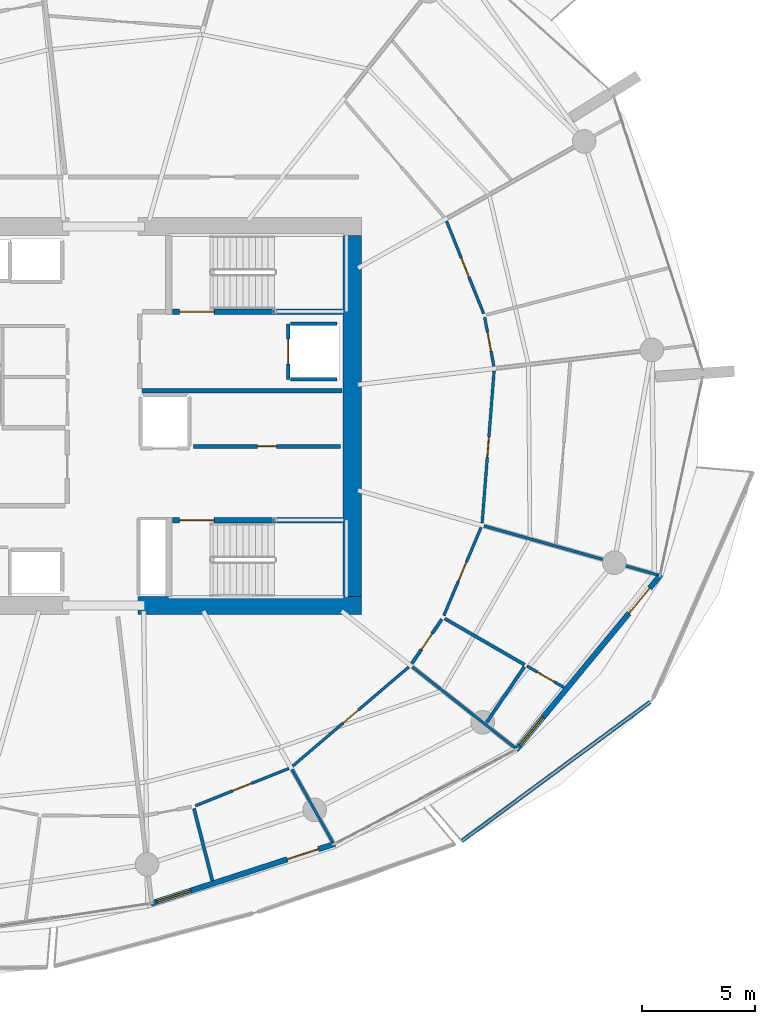
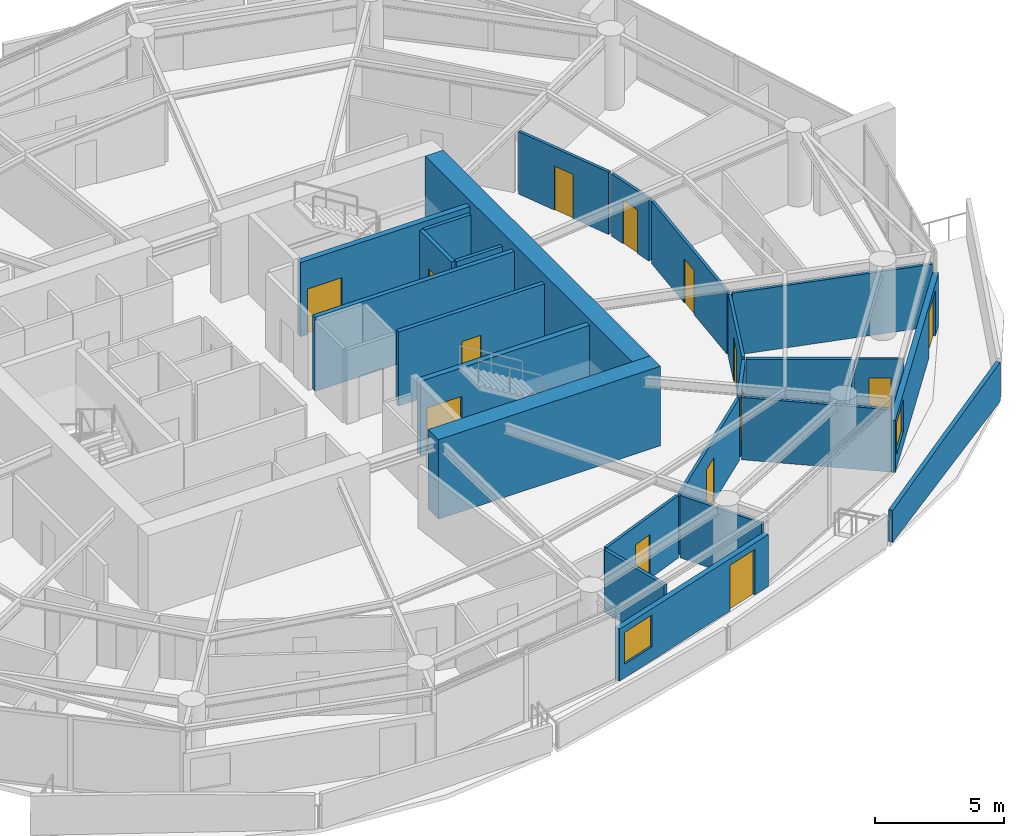
# One storey, part 13 of 20: 26 walls, 14 doors, 2 windows, 16 openings.
"""IFC4 building model written with IfcOpenShell, lengths in metres."""

import ifcopenshell
import ifcopenshell.guid

model = None  # the IFC model being written
_history = None  # IfcOwnerHistory: only IFC2X3 demands one
_inside = {}  # id of a spatial element -> (the spatial element, [elements in it])
_under = {}  # id of a project, library or spatial element -> (it, [spatial elements below it])
_declared = {}  # id of a project -> (the project, [libraries it declares])
_typed = {}  # id of a type object -> (the type object, [elements of that type])
_made_of = {}  # id of a material, layer set ... -> (it, [elements and type objects made of it])


def new_model(schema):
    """Start an empty IFC model of exactly this schema.

    Asked for "IFC4X3", IfcOpenShell would pick the latest addendum, in which some entities
    have other attributes; the version numbers below select the first issue.
    IFC2X3 requires an IfcOwnerHistory on every rooted entity: one is made here for all.
    """
    global model, _history
    if schema == "IFC4X3":
        model = ifcopenshell.file(schema_version=(4, 3, 0, 0))
    else:
        model = ifcopenshell.file(schema=schema)
    _inside.clear()
    _under.clear()
    _declared.clear()
    _typed.clear()
    _made_of.clear()
    _history = None
    if model.schema == "IFC2X3":
        org = make("IfcOrganization", Name="unknown")
        user = make(
            "IfcPersonAndOrganization",
            ThePerson=make("IfcPerson", FamilyName="unknown"),
            TheOrganization=org,
        )
        app = make(
            "IfcApplication",
            ApplicationDeveloper=org,
            Version="unknown",
            ApplicationFullName="unknown",
            ApplicationIdentifier="unknown",
        )
        _history = make(
            "IfcOwnerHistory",
            OwningUser=user,
            OwningApplication=app,
            ChangeAction="ADDED",
            CreationDate=0,
        )
    return model


def make(cls, **values):
    """One entity of the class cls with the attributes given. An attribute that is None is left unset."""
    return model.create_entity(
        cls, **{name: value for name, value in values.items() if value is not None}
    )


def rooted(cls, **values):
    """An entity with a GlobalId (a new one), such as an element, a storey or a relation."""
    return make(cls, GlobalId=ifcopenshell.guid.new(), OwnerHistory=_history, **values)


def si_unit(unit_type, name, prefix=None):
    """IfcSIUnit, for example si_unit("LENGTHUNIT", "METRE", prefix="MILLI")."""
    return make("IfcSIUnit", UnitType=unit_type, Prefix=prefix, Name=name)


def assignment(units):
    """IfcUnitAssignment: the units of a project."""
    return None if units is None else make("IfcUnitAssignment", Units=units)


def point(xyz):
    """IfcCartesianPoint."""
    return None if xyz is None else make("IfcCartesianPoint", Coordinates=xyz)


def direction(xyz):
    """IfcDirection."""
    return None if xyz is None else make("IfcDirection", DirectionRatios=xyz)


def frame(location, z_axis=None, x_axis=None):
    """IfcAxis2Placement3D, a coordinate frame: its origin and axes. An axis left out is left unset."""
    return make(
        "IfcAxis2Placement3D",
        Location=point(location),
        Axis=direction(z_axis),
        RefDirection=direction(x_axis),
    )


def frame_2d(location, x_axis=None):
    """IfcAxis2Placement2D, a coordinate frame in the plane: its origin and x axis."""
    return make(
        "IfcAxis2Placement2D", Location=point(location), RefDirection=direction(x_axis)
    )


def origin():
    """The frame at (0, 0, 0) with its axes left unset."""
    return frame((0.0, 0.0, 0.0))


def place(relative_to, where):
    """IfcLocalPlacement: puts the frame where relative to a parent placement (None: the world)."""
    return make(
        "IfcLocalPlacement", PlacementRelTo=relative_to, RelativePlacement=where
    )


def context(
    kind, dimensions, precision=None, world=None, true_north=None, identifier=None
):
    """IfcGeometricRepresentationContext, for example the 3D "Model" context."""
    return make(
        "IfcGeometricRepresentationContext",
        ContextIdentifier=identifier,
        ContextType=kind,
        CoordinateSpaceDimension=dimensions,
        Precision=precision,
        WorldCoordinateSystem=world,
        TrueNorth=true_north,
    )


def subcontext(parent, identifier, kind, view, scale=None):
    """IfcGeometricRepresentationSubContext, for example "Body" below "Model"."""
    return make(
        "IfcGeometricRepresentationSubContext",
        ContextIdentifier=identifier,
        ContextType=kind,
        ParentContext=parent,
        TargetScale=scale,
        TargetView=view,
    )


def project(units=None, contexts=None):
    """IfcProject with its units and contexts."""
    return rooted(
        "IfcProject",
        Name="project",
        RepresentationContexts=contexts,
        UnitsInContext=assignment(units),
    )


def spatial(cls, under=None, at=None, **own):
    """A site, building, storey or space (cls), placed at a placement, below another one or the project."""
    s = rooted(cls, ObjectPlacement=at, **own)
    if under is not None:
        _under.setdefault(under.id(), (under, []))[1].append(s)
    return s


def polyline(points):
    """IfcPolyline through the points."""
    return make("IfcPolyline", Points=[point(p) for p in points])


def profile(cls, at=None, kind="AREA", **sizes):
    """A parametric profile (cls). Its sizes go by their IFC names, for example OverallWidth=200.0."""
    return make(cls, ProfileType=kind, Position=at, **sizes)


def rectangle(**sizes):
    """IfcRectangleProfileDef."""
    return profile("IfcRectangleProfileDef", **sizes)


def outline(outer, holes=None, kind="AREA"):
    """IfcArbitraryClosedProfileDef: a profile drawn as a closed curve; with holes, ...WithVoids."""
    if holes is None:
        return make("IfcArbitraryClosedProfileDef", ProfileType=kind, OuterCurve=outer)
    return make(
        "IfcArbitraryProfileDefWithVoids",
        ProfileType=kind,
        OuterCurve=outer,
        InnerCurves=holes,
    )


def extrude(swept, where, along, depth):
    """IfcExtrudedAreaSolid: the profile swept, set in the frame where, extruded along a direction by depth."""
    return make(
        "IfcExtrudedAreaSolid",
        SweptArea=swept,
        Position=where,
        ExtrudedDirection=direction(along),
        Depth=depth,
    )


def shape(context_of_items, identifier, shape_type, items):
    """IfcShapeRepresentation: the items that make up one representation, for example the "Body"."""
    return make(
        "IfcShapeRepresentation",
        ContextOfItems=context_of_items,
        RepresentationIdentifier=identifier,
        RepresentationType=shape_type,
        Items=items,
    )


def material(Name=None, Category=None):
    """IfcMaterial."""
    return make("IfcMaterial", Name=Name, Category=Category)


def layer(
    of_material, thickness, ventilated=None, Name=None, Category=None, Priority=None
):
    """IfcMaterialLayer: one layer of a wall or slab, of a material (None: an air gap)."""
    return make(
        "IfcMaterialLayer",
        Material=of_material,
        LayerThickness=thickness,
        IsVentilated=ventilated,
        Name=Name,
        Category=Category,
        Priority=Priority,
    )


def layer_set(layers, Name=None):
    """IfcMaterialLayerSet."""
    return make("IfcMaterialLayerSet", MaterialLayers=layers, LayerSetName=Name)


def made_of(thing, what):
    """Note that an element or type object is made of a material, layer set ...; save() writes the relation."""
    if what is not None:
        _made_of.setdefault(what.id(), (what, []))[1].append(thing)
    return thing


def type_object(cls, material=None, **own):
    """A type object (cls), such as IfcWallType, which elements share."""
    return made_of(rooted(cls, **own), material)


def element(
    cls,
    number,
    at=None,
    inside=None,
    cuts=None,
    type_object=None,
    material=None,
    context=None,
    identifier="Body",
    shape_type=None,
    held_by="IfcProductDefinitionShape",
    body=None,
    shapes=None,
    **own,
):
    """One element of the class cls, such as IfcWall. Its Tag is "e" and its number.

    at: its placement. inside: the storey or other place that contains it. cuts: it is an
    opening in that element (IfcRelVoidsElement). A single representation is given by context,
    identifier, shape_type and body (its items); several are given by shapes. held_by: the class
    of the entity that holds the representations. save() writes the other relations.
    """
    e = rooted(cls, Tag="e%d" % number, ObjectPlacement=at, **own)
    if body is not None:
        shapes = [shape(context, identifier, shape_type, body)]
    if shapes is not None:
        e.Representation = make(held_by, Representations=shapes)
    if inside is not None:
        _inside.setdefault(inside.id(), (inside, []))[1].append(e)
    if cuts is not None:
        rooted(
            "IfcRelVoidsElement", RelatingBuildingElement=cuts, RelatedOpeningElement=e
        )
    if type_object is not None:
        _typed.setdefault(type_object.id(), (type_object, []))[1].append(e)
    return made_of(e, material)


def fill(opening, filler):
    """IfcRelFillsElement: the door or window that sits in an opening."""
    return rooted(
        "IfcRelFillsElement",
        RelatingOpeningElement=opening,
        RelatedBuildingElement=filler,
    )


def aggregate(whole, parts):
    """IfcRelAggregates: a whole, such as a stair, and the parts it consists of."""
    return rooted("IfcRelAggregates", RelatingObject=whole, RelatedObjects=parts)


def save(model, path):
    """Write the relations noted so far, then the file.

    IfcRelAggregates (storeys below a building ...), IfcRelContainedInSpatialStructure (elements
    in a storey), IfcRelDefinesByType, IfcRelAssociatesMaterial and IfcRelDeclares: one each for
    every whole, place, type object, material and project.
    """
    for whole, parts in _under.values():
        aggregate(whole, parts)
    for where, things in _inside.values():
        rooted(
            "IfcRelContainedInSpatialStructure",
            RelatedElements=things,
            RelatingStructure=where,
        )
    for kind, things in _typed.values():
        rooted("IfcRelDefinesByType", RelatedObjects=things, RelatingType=kind)
    for what, things in _made_of.values():
        rooted("IfcRelAssociatesMaterial", RelatedObjects=things, RelatingMaterial=what)
    for by, libraries in _declared.values():
        rooted("IfcRelDeclares", RelatingContext=by, RelatedDefinitions=libraries)
    model.write(path)


model = new_model("IFC4")

# Units and contexts
model_context = context("Model", 3, precision=1e-05, world=origin(), true_north=direction((0.0, 1.0)))
body_context = subcontext(model_context, "Body", "Model", "MODEL_VIEW")
ifc_project = project(units=[si_unit("LENGTHUNIT", "METRE"), si_unit("AREAUNIT", "SQUARE_METRE"), si_unit("VOLUMEUNIT", "CUBIC_METRE"), si_unit("PLANEANGLEUNIT", "RADIAN"), si_unit("MASSUNIT", "GRAM", prefix="KILO")], contexts=[model_context])

# Site, building, storey
site_placement = place(None, origin())
site = spatial("IfcSite", under=ifc_project, at=site_placement, CompositionType="ELEMENT")
building_placement = place(site_placement, origin())
building = spatial("IfcBuilding", under=site, at=building_placement, Name="Kazma Halo Residences", CompositionType="ELEMENT")
storey_placement = place(building_placement, frame((0.0, 0.0, 154.050048828125)))
storey = spatial("IfcBuildingStorey", under=building, at=storey_placement, Name="L38", CompositionType="ELEMENT", Elevation=154.050048828125)

# Walls
ifc_material_1 = material(Name="White Concrete C50/60 Balustrade", Category="concrete")
ifc_layer_1 = layer(ifc_material_1, 0.179931640625)
ifc_layer_set_1 = layer_set([ifc_layer_1], Name="White Concrete C50/60 Balustrade")
wall_type_1 = type_object("IfcWallType", Name="WL-BAL-WAVE-180", PredefinedType="PARAPET", material=ifc_layer_set_1)
wall_1_placement = place(storey_placement, frame((64.300048828125, 23.149658203125, 0.0), z_axis=(0.0, 0.0, 1.0), x_axis=(0.804716582715, 0.593659179584, 0.0)))
element("IfcWall", 1, at=wall_1_placement, inside=storey, type_object=wall_type_1, Name="L38 white wave balustrade wall SE.1", PredefinedType="PARAPET", context=body_context, shape_type="SweptSolid", body=[
    extrude(outline(polyline([(0.0, 0.0), (10.386474609375, 0.0), (10.386474609375, 1.83203125), (5.193115234375, 1.696044921875), (0.0, 1.4970703125), (0.0, 0.0)])), frame((0.0, 0.08984375, 0.0), z_axis=(0.0, -1.0, 0.0), x_axis=(1.0, 0.0, 0.0)), (0.0, 0.0, 1.0), 0.179931640625),
])
ifc_material_2 = material(Name="Concrete C80/95", Category="concrete")
ifc_layer_2 = layer(ifc_material_2, 0.800048828125)
ifc_layer_set_2 = layer_set([ifc_layer_2], Name="Concrete C80/95")
wall_type_2 = type_object("IfcWallType", Name="WL-CORE-800", PredefinedType="SHEAR", material=ifc_layer_set_2)
wall_2_placement = place(storey_placement, frame((49.949951171875, 33.60009765625, 0.0), z_axis=(0.0, 0.0, 1.0), x_axis=(1.0, 0.0, 0.0)))
element("IfcWall", 2, at=wall_2_placement, inside=storey, type_object=wall_type_2, Name="L38 central core shear wall SE", PredefinedType="SHEAR", context=body_context, shape_type="SweptSolid", body=[
    extrude(rectangle(XDim=9.900146484375, YDim=0.800048828125, at=frame_2d((4.9501953125, 0.0))), origin(), (0.0, 0.0, 1.0), 3.75),
])
wall_3_placement = place(storey_placement, frame((59.449951171875, 34.0, 0.0), z_axis=(0.0, 0.0, 1.0), x_axis=(0.0, 1.0, 0.0)))
element("IfcWall", 3, at=wall_3_placement, inside=storey, type_object=wall_type_2, Name="L38 central core shear wall E", PredefinedType="SHEAR", context=body_context, shape_type="SweptSolid", body=[
    extrude(rectangle(XDim=16.0, YDim=0.800048828125, at=frame_2d((8.0, 0.0))), origin(), (0.0, 0.0, 1.0), 3.75),
])

# Wall, openings, door, window
ifc_material_3 = material(Name="Insulated Pale-Metal Composite Wall")
ifc_layer_3 = layer(ifc_material_3, 0.239990234375)
ifc_layer_set_3 = layer_set([ifc_layer_3], Name="Insulated Pale-Metal Composite Wall")
wall_type_3 = type_object("IfcWallType", Name="WL-EXT-HOST-240", PredefinedType="SOLIDWALL", material=ifc_layer_set_3)
wall_4_placement = place(storey_placement, frame((50.510009765625, 20.375732421875, 0.0), z_axis=(0.0, 0.0, 1.0), x_axis=(0.951046390632, 0.309048156224, 0.0)))
wall_4 = element("IfcWall", 4, at=wall_4_placement, inside=storey, type_object=wall_type_3, Name="L38 exterior terrace-access wall B12", PredefinedType="SOLIDWALL", context=body_context, shape_type="SweptSolid", body=[
    extrude(rectangle(XDim=8.590087890625, YDim=0.239990234375, at=frame_2d((4.294921875, 0.0))), origin(), (0.0, 0.0, 1.0), 2.449951171875),
])
opening_1_placement = place(wall_4_placement, frame((6.370361328125, 0.0, 0.0)))
opening_1 = element("IfcOpeningElement", 5, at=opening_1_placement, cuts=wall_4, Name="Opening DTR-1600", PredefinedType="OPENING", context=body_context, shape_type="SweptSolid", body=[
    extrude(rectangle(XDim=1.449951171875, YDim=2.14990234375, at=frame_2d((0.72509765625, 1.074951171875))), frame((0.0, 0.1298828125, 0.0), z_axis=(0.0, -1.0, 0.0), x_axis=(1.0, 0.0, 0.0)), (0.0, 0.0, 1.0), 0.260009765625),
])
opening_2_placement = place(wall_4_placement, frame((0.280029296875, 0.0, 0.64990234375)))
opening_2 = element("IfcOpeningElement", 6, at=opening_2_placement, cuts=wall_4, Name="Opening W-1800", PredefinedType="OPENING", context=body_context, shape_type="SweptSolid", body=[
    extrude(rectangle(XDim=1.60009765625, YDim=1.5, at=frame_2d((0.800048828125, 0.75))), frame((0.0, 0.1298828125, 0.0), z_axis=(0.0, -1.0, 0.0), x_axis=(1.0, 0.0, 0.0)), (0.0, 0.0, 1.0), 0.260009765625),
])
ifc_material_4 = material(Name="Aluminium AW-6063 T6 Double-Glazed Terrace Door", Category="aluminium")
door_type_1 = type_object("IfcDoorType", Name="DR-EXT-TERR-1600", OperationType="NOTDEFINED", PredefinedType="DOOR", material=ifc_material_4)
door_1_placement = place(opening_1_placement, origin())
door_1 = element("IfcDoor", 7, at=door_1_placement, inside=storey, type_object=door_type_1, Name="L38 B12 balcony terrace door", OperationType="DOUBLE_DOOR_SLIDING", OverallHeight=2.14990234375, OverallWidth=1.449951171875, PredefinedType="DOOR", context=body_context, shape_type="SweptSolid", body=[
    extrude(rectangle(XDim=1.449951171875, YDim=2.14990234375, at=frame_2d((0.72509765625, 1.074951171875))), frame((0.0, 0.02490234375, 0.0), z_axis=(0.0, -1.0, 0.0), x_axis=(1.0, 0.0, 0.0)), (0.0, 0.0, 1.0), 0.050048828125),
])
fill(opening_1, door_1)
ifc_material_5 = material(Name="Clear Triple-Silver Low-E Glass in Aluminium AW-6063 T6 Frame", Category="aluminium")
window_type = type_object("IfcWindowType", Name="WIN-RES-1800", PartitioningType="DOUBLE_PANEL_VERTICAL", PredefinedType="WINDOW", material=ifc_material_5)
window_1_placement = place(opening_2_placement, origin())
window_1 = element("IfcWindow", 8, at=window_1_placement, inside=storey, type_object=window_type, Name="L38 B12 apartment window", OverallHeight=1.5, OverallWidth=1.60009765625, PartitioningType="SINGLE_PANEL", PredefinedType="WINDOW", context=body_context, shape_type="SweptSolid", body=[
    extrude(rectangle(XDim=1.60009765625, YDim=1.5, at=frame_2d((0.800048828125, 0.75))), frame((0.0, 0.030029296875, 0.0), z_axis=(0.0, -1.0, 0.0), x_axis=(1.0, 0.0, 0.0)), (0.0, 0.0, 1.0), 0.06005859375),
])
fill(opening_2, window_1)

wall_5_placement = place(storey_placement, frame((66.70947265625, 27.18701171875, 0.0), z_axis=(0.0, 0.0, 1.0), x_axis=(0.636771922292, 0.77105221547, 0.0)))
wall_5 = element("IfcWall", 9, at=wall_5_placement, inside=storey, type_object=wall_type_3, Name="L38 exterior terrace-access wall B14", PredefinedType="SOLIDWALL", context=body_context, shape_type="SweptSolid", body=[
    extrude(rectangle(XDim=10.08154296875, YDim=0.239990234375, at=frame_2d((5.040771484375, 0.0))), origin(), (0.0, 0.0, 1.0), 2.449951171875),
])
opening_3_placement = place(wall_5_placement, frame((7.861572265625, 0.0, 0.0)))
opening_3 = element("IfcOpeningElement", 10, at=opening_3_placement, cuts=wall_5, Name="Opening DTR-1600", PredefinedType="OPENING", context=body_context, shape_type="SweptSolid", body=[
    extrude(rectangle(XDim=1.449951171875, YDim=2.14990234375, at=frame_2d((0.72509765625, 1.074951171875))), frame((0.0, 0.1298828125, 0.0), z_axis=(0.0, -1.0, 0.0), x_axis=(1.0, 0.0, 0.0)), (0.0, 0.0, 1.0), 0.260009765625),
])
opening_4_placement = place(wall_5_placement, frame((0.280029296875, 0.0, 0.64990234375)))
opening_4 = element("IfcOpeningElement", 11, at=opening_4_placement, cuts=wall_5, Name="Opening W-1800", PredefinedType="OPENING", context=body_context, shape_type="SweptSolid", body=[
    extrude(rectangle(XDim=1.60009765625, YDim=1.5, at=frame_2d((0.800048828125, 0.75))), frame((0.0, 0.1298828125, 0.0), z_axis=(0.0, -1.0, 0.0), x_axis=(1.0, 0.0, 0.0)), (0.0, 0.0, 1.0), 0.260009765625),
])
door_2_placement = place(opening_3_placement, origin())
door_2 = element("IfcDoor", 12, at=door_2_placement, inside=storey, type_object=door_type_1, Name="L38 B14 balcony terrace door", OperationType="DOUBLE_DOOR_SLIDING", OverallHeight=2.14990234375, OverallWidth=1.449951171875, PredefinedType="DOOR", context=body_context, shape_type="SweptSolid", body=[
    extrude(rectangle(XDim=1.449951171875, YDim=2.14990234375, at=frame_2d((0.72509765625, 1.074951171875))), frame((0.0, 0.02490234375, 0.0), z_axis=(0.0, -1.0, 0.0), x_axis=(1.0, 0.0, 0.0)), (0.0, 0.0, 1.0), 0.050048828125),
])
fill(opening_3, door_2)
window_2_placement = place(opening_4_placement, origin())
window_2 = element("IfcWindow", 13, at=window_2_placement, inside=storey, type_object=window_type, Name="L38 B14 apartment window", OverallHeight=1.5, OverallWidth=1.60009765625, PartitioningType="SINGLE_PANEL", PredefinedType="WINDOW", context=body_context, shape_type="SweptSolid", body=[
    extrude(rectangle(XDim=1.60009765625, YDim=1.5, at=frame_2d((0.800048828125, 0.75))), frame((0.0, 0.030029296875, 0.0), z_axis=(0.0, -1.0, 0.0), x_axis=(1.0, 0.0, 0.0)), (0.0, 0.0, 1.0), 0.06005859375),
])
fill(opening_4, window_2)

# Wall, opening, door
ifc_material_6 = material(Name="Fire-Rated Blockwork Masonry", Category="masonry")
ifc_layer_4 = layer(ifc_material_6, 0.199951171875)
ifc_layer_set_4 = layer_set([ifc_layer_4], Name="Fire-Rated Blockwork Masonry")
wall_type_4 = type_object("IfcWallType", Name="WL-FLB-200", PredefinedType="PARTITIONING", material=ifc_layer_set_4)
wall_6_placement = place(storey_placement, frame((56.6201171875, 46.080078125, 0.0), z_axis=(0.0, 0.0, 1.0), x_axis=(0.0, -1.0, 0.0)))
wall_6 = element("IfcWall", 14, at=wall_6_placement, inside=storey, type_object=wall_type_4, Name="L38 lift shaft FL-02 front wall", PredefinedType="PARTITIONING", context=body_context, shape_type="SweptSolid", body=[
    extrude(rectangle(XDim=2.4599609375, YDim=0.159912109375, at=frame_2d((1.22998046875, 0.0))), origin(), (0.0, 0.0, 1.0), 3.5),
])
opening_5_placement = place(wall_6_placement, frame((0.679931640625, 0.0, 0.0)))
opening_5 = element("IfcOpeningElement", 15, at=opening_5_placement, cuts=wall_6, Name="Opening LD-FL-02", PredefinedType="OPENING", context=body_context, shape_type="SweptSolid", body=[
    extrude(rectangle(XDim=1.10009765625, YDim=2.10009765625, at=frame_2d((0.550048828125, 1.050048828125))), frame((0.0, 0.08984375, 0.0), z_axis=(0.0, -1.0, 0.0), x_axis=(1.0, 0.0, 0.0)), (0.0, 0.0, 1.0), 0.179931640625),
])
ifc_material_7 = material(Name="Stainless Steel Fire-Rated", Category="steel")
door_type_2 = type_object("IfcDoorType", Name="DR-LIFT-SLD-1100", OperationType="DOUBLE_DOOR_SLIDING", PredefinedType="DOOR", material=ifc_material_7)
door_3_placement = place(opening_5_placement, origin())
door_3 = element("IfcDoor", 16, at=door_3_placement, inside=storey, type_object=door_type_2, Name="L38 lift FL-02 sliding landing door", OperationType="DOUBLE_DOOR_SLIDING", OverallHeight=2.10009765625, OverallWidth=1.10009765625, PredefinedType="DOOR", context=body_context, shape_type="SweptSolid", body=[
    extrude(rectangle(XDim=1.10009765625, YDim=2.10009765625, at=frame_2d((0.550048828125, 1.050048828125))), frame((0.0, 0.02490234375, 0.0), z_axis=(0.0, -1.0, 0.0), x_axis=(1.0, 0.0, 0.0)), (0.0, 0.0, 1.0), 0.050048828125),
])
fill(opening_5, door_3)

# Walls
for number, where, z_axis, x_axis, name in (
    (17, (56.719970703125, 46.080078125, 0.0), (0.0, 0.0, 1.0), (1.0, 0.0, 0.0), "L38 lift shaft FL-02 side wall N"),
    (18, (56.719970703125, 43.6201171875, 0.0), (0.0, 0.0, 1.0), (1.0, 0.0, 0.0), "L38 lift shaft FL-02 side wall S"),
):
    element("IfcWall", number, at=place(storey_placement, frame(where, z_axis=z_axis, x_axis=x_axis)), inside=storey, type_object=wall_type_4, Name=name, PredefinedType="PARTITIONING", context=body_context, shape_type="SweptSolid", body=[
        extrude(rectangle(XDim=2.06005859375, YDim=0.159912109375, at=frame_2d((1.030029296875, 0.0))), origin(), (0.0, 0.0, 1.0), 3.5),
    ])

# Wall, opening, door
wall_7_placement = place(storey_placement, frame((52.419921875, 40.64990234375, 0.0), z_axis=(0.0, 0.0, 1.0), x_axis=(1.0, 0.0, 0.0)))
wall_7 = element("IfcWall", 19, at=wall_7_placement, inside=storey, type_object=wall_type_4, Name="L38 core east reserve wall", PredefinedType="PARTITIONING", context=body_context, shape_type="SweptSolid", body=[
    extrude(rectangle(XDim=6.5, YDim=0.179931640625, at=frame_2d((3.25, 0.0))), origin(), (0.0, 0.0, 1.0), 3.5),
])
opening_6_placement = place(wall_7_placement, frame((2.824951171875, 0.0, 0.0)))
opening_6 = element("IfcOpeningElement", 20, at=opening_6_placement, cuts=wall_7, Name="Opening DS-850", PredefinedType="OPENING", context=body_context, shape_type="SweptSolid", body=[
    extrude(rectangle(XDim=0.85009765625, YDim=2.06005859375, at=frame_2d((0.425048828125, 1.030029296875))), frame((0.0, 0.099853515625, 0.0), z_axis=(0.0, -1.0, 0.0), x_axis=(1.0, 0.0, 0.0)), (0.0, 0.0, 1.0), 0.199951171875),
])
ifc_material_8 = material(Name="Painted Steel Access Leaf", Category="steel")
door_type_3 = type_object("IfcDoorType", Name="DR-SVC-850", OperationType="NOTDEFINED", PredefinedType="DOOR", material=ifc_material_8)
door_4_placement = place(opening_6_placement, origin())
door_4 = element("IfcDoor", 21, at=door_4_placement, inside=storey, type_object=door_type_3, Name="L38 core east reserve door", OperationType="SINGLE_SWING_LEFT", OverallHeight=2.06005859375, OverallWidth=0.85009765625, PredefinedType="DOOR", context=body_context, shape_type="SweptSolid", body=[
    extrude(rectangle(XDim=0.85009765625, YDim=2.06005859375, at=frame_2d((0.425048828125, 1.030029296875))), frame((0.0, 0.02490234375, 0.0), z_axis=(0.0, -1.0, 0.0), x_axis=(1.0, 0.0, 0.0)), (0.0, 0.0, 1.0), 0.050048828125),
])
fill(opening_6, door_4)

# Wall
wall_8_placement = place(storey_placement, frame((50.1201171875, 43.1201171875, 0.0), z_axis=(0.0, 0.0, 1.0), x_axis=(1.0, 0.0, 0.0)))
element("IfcWall", 22, at=wall_8_placement, inside=storey, type_object=wall_type_4, Name="L38 east firefighting lobby south smoke wall", PredefinedType="PARTITIONING", context=body_context, shape_type="SweptSolid", body=[
    extrude(rectangle(XDim=8.8798828125, YDim=0.199951171875, at=frame_2d((4.43994140625, 0.0))), origin(), (0.0, 0.0, 1.0), 3.5),
])

# Wall, opening, door
ifc_material_9 = material(Name="Gypsum Plasterboard Partition")
ifc_layer_5 = layer(ifc_material_9, 0.125)
ifc_layer_set_5 = layer_set([ifc_layer_5], Name="Gypsum Plasterboard Partition")
wall_type_5 = type_object("IfcWallType", Name="WL-PART-125", PredefinedType="PARTITIONING", material=ifc_layer_set_5)
wall_9_placement = place(storey_placement, frame((52.49365234375, 24.716064453125, 0.0), z_axis=(0.0, 0.0, 1.0), x_axis=(0.928695316587, 0.370843644882, 0.0)))
wall_9 = element("IfcWall", 23, at=wall_9_placement, inside=storey, type_object=wall_type_5, Name="L38 Apartment 3 Gourmet Kitchen hall wall", PredefinedType="PARTITIONING", context=body_context, shape_type="SweptSolid", body=[
    extrude(rectangle(XDim=4.463623046875, YDim=0.125, at=frame_2d((2.23193359375, 0.0))), origin(), (0.0, 0.0, 1.0), 2.93994140625),
])
opening_7_placement = place(wall_9_placement, frame((1.78173828125, 0.0, 0.0)))
opening_7 = element("IfcOpeningElement", 24, at=opening_7_placement, cuts=wall_9, Name="Opening DI-950", PredefinedType="OPENING", context=body_context, shape_type="SweptSolid", body=[
    extrude(rectangle(XDim=0.89990234375, YDim=2.080078125, at=frame_2d((0.449951171875, 1.0400390625))), frame((0.0, 0.072509765625, 0.0), z_axis=(0.0, -1.0, 0.0), x_axis=(1.0, 0.0, 0.0)), (0.0, 0.0, 1.0), 0.14501953125),
])
ifc_material_10 = material(Name="Timber Veneer Flush Leaf", Category="wood")
door_type_4 = type_object("IfcDoorType", Name="DR-INT-950", OperationType="NOTDEFINED", PredefinedType="DOOR", material=ifc_material_10)
door_5_placement = place(opening_7_placement, origin())
door_5 = element("IfcDoor", 25, at=door_5_placement, inside=storey, type_object=door_type_4, Name="L38 Apartment 3 Gourmet Kitchen door", OperationType="SINGLE_SWING_RIGHT", OverallHeight=2.080078125, OverallWidth=0.89990234375, PredefinedType="DOOR", context=body_context, shape_type="SweptSolid", body=[
    extrude(rectangle(XDim=0.89990234375, YDim=2.080078125, at=frame_2d((0.449951171875, 1.0400390625))), frame((0.0, 0.02490234375, 0.0), z_axis=(0.0, -1.0, 0.0), x_axis=(1.0, 0.0, 0.0)), (0.0, 0.0, 1.0), 0.050048828125),
])
fill(opening_7, door_5)

# Wall
wall_10_placement = place(storey_placement, frame((56.780517578125, 26.3212890625, 0.0), z_axis=(0.0, 0.0, 1.0), x_axis=(0.488615541235, -0.872499199348, 0.0)))
element("IfcWall", 26, at=wall_10_placement, inside=storey, type_object=wall_type_5, Name="L38 Apartment 3 radial partition 12", PredefinedType="PARTITIONING", context=body_context, shape_type="SweptSolid", body=[
    extrude(rectangle(XDim=3.66455078125, YDim=0.125, at=frame_2d((1.832275390625, 0.0))), origin(), (0.0, 0.0, 1.0), 2.93994140625),
])

# Wall, opening, door
wall_11_placement = place(storey_placement, frame((56.815185546875, 26.47998046875, 0.0), z_axis=(0.0, 0.0, 1.0), x_axis=(0.760406411553, 0.649447526186, 0.0)))
wall_11 = element("IfcWall", 27, at=wall_11_placement, inside=storey, type_object=wall_type_5, Name="L38 Apartment 3 East Formal Dining Room gallery wall", PredefinedType="PARTITIONING", context=body_context, shape_type="SweptSolid", body=[
    extrude(rectangle(XDim=6.752685546875, YDim=0.125, at=frame_2d((3.37646484375, 0.0))), origin(), (0.0, 0.0, 1.0), 2.93994140625),
])
opening_8_placement = place(wall_11_placement, frame((2.92626953125, 0.0, 0.0)))
opening_8 = element("IfcOpeningElement", 28, at=opening_8_placement, cuts=wall_11, Name="Opening DI-950", PredefinedType="OPENING", context=body_context, shape_type="SweptSolid", body=[
    extrude(rectangle(XDim=0.89990234375, YDim=2.080078125, at=frame_2d((0.449951171875, 1.0400390625))), frame((0.0, 0.072509765625, 0.0), z_axis=(0.0, -1.0, 0.0), x_axis=(1.0, 0.0, 0.0)), (0.0, 0.0, 1.0), 0.14501953125),
])
door_6_placement = place(opening_8_placement, origin())
door_6 = element("IfcDoor", 29, at=door_6_placement, inside=storey, type_object=door_type_4, Name="L38 Apartment 3 East Formal Dining Room door", OperationType="SINGLE_SWING_LEFT", OverallHeight=2.080078125, OverallWidth=0.89990234375, PredefinedType="DOOR", context=body_context, shape_type="SweptSolid", body=[
    extrude(rectangle(XDim=0.89990234375, YDim=2.080078125, at=frame_2d((0.449951171875, 1.0400390625))), frame((0.0, 0.02490234375, 0.0), z_axis=(0.0, -1.0, 0.0), x_axis=(1.0, 0.0, 0.0)), (0.0, 0.0, 1.0), 0.050048828125),
])
fill(opening_8, door_6)

# Wall
wall_12_placement = place(storey_placement, frame((62.112060546875, 30.875, 0.0), z_axis=(0.0, 0.0, 1.0), x_axis=(0.785328664081, -0.619079065526, 0.0)))
element("IfcWall", 30, at=wall_12_placement, inside=storey, type_object=wall_type_5, Name="L38 Apartment 3 radial partition 13", PredefinedType="PARTITIONING", context=body_context, shape_type="SweptSolid", body=[
    extrude(rectangle(XDim=5.86962890625, YDim=0.125, at=frame_2d((2.934814453125, 0.0))), origin(), (0.0, 0.0, 1.0), 2.93994140625),
])

# Wall, opening, door
wall_13_placement = place(storey_placement, frame((67.20556640625, 30.905029296875, 0.0), z_axis=(0.0, 0.0, 1.0), x_axis=(0.865877522555, -0.500256050372, 0.0)))
wall_13 = element("IfcWall", 31, at=wall_13_placement, inside=storey, type_object=wall_type_5, Name="L38 Apartment 3 North Walk-In Wardrobe partition wall", PredefinedType="PARTITIONING", context=body_context, shape_type="SweptSolid", body=[
    extrude(rectangle(XDim=1.8876953125, YDim=0.125, at=frame_2d((0.94384765625, 0.0))), origin(), (0.0, 0.0, 1.0), 2.93994140625),
])
opening_9_placement = place(wall_13_placement, frame((0.518798828125, 0.0, 0.0)))
opening_9 = element("IfcOpeningElement", 32, at=opening_9_placement, cuts=wall_13, Name="Opening DB-900", PredefinedType="OPENING", context=body_context, shape_type="SweptSolid", body=[
    extrude(rectangle(XDim=0.85009765625, YDim=2.06005859375, at=frame_2d((0.425048828125, 1.030029296875))), frame((0.0, 0.072509765625, 0.0), z_axis=(0.0, -1.0, 0.0), x_axis=(1.0, 0.0, 0.0)), (0.0, 0.0, 1.0), 0.14501953125),
])
ifc_material_11 = material(Name="Moisture-Sealed Timber Leaf", Category="wood")
door_type_5 = type_object("IfcDoorType", Name="DR-BTH-900", OperationType="NOTDEFINED", PredefinedType="DOOR", material=ifc_material_11)
door_7_placement = place(opening_9_placement, origin())
door_7 = element("IfcDoor", 33, at=door_7_placement, inside=storey, type_object=door_type_5, Name="L38 Apartment 3 North Walk-In Wardrobe door", OperationType="SINGLE_SWING_LEFT", OverallHeight=2.06005859375, OverallWidth=0.85009765625, PredefinedType="DOOR", context=body_context, shape_type="SweptSolid", body=[
    extrude(rectangle(XDim=0.85009765625, YDim=2.06005859375, at=frame_2d((0.425048828125, 1.030029296875))), frame((0.0, 0.02490234375, 0.0), z_axis=(0.0, -1.0, 0.0), x_axis=(1.0, 0.0, 0.0)), (0.0, 0.0, 1.0), 0.050048828125),
])
fill(opening_9, door_7)

wall_14_placement = place(storey_placement, frame((63.508544921875, 33.143798828125, 0.0), z_axis=(0.0, 0.0, 1.0), x_axis=(0.38881485578, 0.921315911034, 0.0)))
wall_14 = element("IfcWall", 34, at=wall_14_placement, inside=storey, type_object=wall_type_5, Name="L38 Apartment 3 South Master Bedroom hall wall", PredefinedType="PARTITIONING", context=body_context, shape_type="SweptSolid", body=[
    extrude(rectangle(XDim=4.247802734375, YDim=0.125, at=frame_2d((2.1240234375, 0.0))), origin(), (0.0, 0.0, 1.0), 2.93994140625),
])
opening_10_placement = place(wall_14_placement, frame((1.673828125, 0.0, 0.0)))
opening_10 = element("IfcOpeningElement", 35, at=opening_10_placement, cuts=wall_14, Name="Opening DI-950", PredefinedType="OPENING", context=body_context, shape_type="SweptSolid", body=[
    extrude(rectangle(XDim=0.89990234375, YDim=2.080078125, at=frame_2d((0.449951171875, 1.0400390625))), frame((0.0, 0.072509765625, 0.0), z_axis=(0.0, -1.0, 0.0), x_axis=(1.0, 0.0, 0.0)), (0.0, 0.0, 1.0), 0.14501953125),
])
door_8_placement = place(opening_10_placement, origin())
door_8 = element("IfcDoor", 36, at=door_8_placement, inside=storey, type_object=door_type_4, Name="L38 Apartment 3 South Master Bedroom door", OperationType="SINGLE_SWING_RIGHT", OverallHeight=2.080078125, OverallWidth=0.89990234375, PredefinedType="DOOR", context=body_context, shape_type="SweptSolid", body=[
    extrude(rectangle(XDim=0.89990234375, YDim=2.080078125, at=frame_2d((0.449951171875, 1.0400390625))), frame((0.0, 0.02490234375, 0.0), z_axis=(0.0, -1.0, 0.0), x_axis=(1.0, 0.0, 0.0)), (0.0, 0.0, 1.0), 0.050048828125),
])
fill(opening_10, door_8)

# Wall
wall_15_placement = place(storey_placement, frame((65.29541015625, 37.122314453125, 0.0), z_axis=(0.0, 0.0, 1.0), x_axis=(0.962453364466, -0.271447087346, 0.0)))
element("IfcWall", 37, at=wall_15_placement, inside=storey, type_object=wall_type_5, Name="L38 Apartment 3 radial partition 14", PredefinedType="PARTITIONING", context=body_context, shape_type="SweptSolid", body=[
    extrude(rectangle(XDim=7.981201171875, YDim=0.125, at=frame_2d((3.99072265625, 0.0))), origin(), (0.0, 0.0, 1.0), 2.93994140625),
])

# Wall, opening, door
wall_16_placement = place(storey_placement, frame((65.207763671875, 37.259033203125, 0.0), z_axis=(0.0, 0.0, 1.0), x_axis=(0.078457580711, 0.996917452966, 0.0)))
wall_16 = element("IfcWall", 38, at=wall_16_placement, inside=storey, type_object=wall_type_5, Name="L38 Apartment 3 Inner Study hall wall", PredefinedType="PARTITIONING", context=body_context, shape_type="SweptSolid", body=[
    extrude(rectangle(XDim=6.75244140625, YDim=0.125, at=frame_2d((3.376220703125, 0.0))), origin(), (0.0, 0.0, 1.0), 2.93994140625),
])
opening_11_placement = place(wall_16_placement, frame((2.92626953125, 0.0, 0.0)))
opening_11 = element("IfcOpeningElement", 39, at=opening_11_placement, cuts=wall_16, Name="Opening DI-950", PredefinedType="OPENING", context=body_context, shape_type="SweptSolid", body=[
    extrude(rectangle(XDim=0.89990234375, YDim=2.080078125, at=frame_2d((0.449951171875, 1.0400390625))), frame((0.0, 0.072509765625, 0.0), z_axis=(0.0, -1.0, 0.0), x_axis=(1.0, 0.0, 0.0)), (0.0, 0.0, 1.0), 0.14501953125),
])
door_9_placement = place(opening_11_placement, origin())
door_9 = element("IfcDoor", 40, at=door_9_placement, inside=storey, type_object=door_type_4, Name="L38 Apartment 3 Inner Study door", OperationType="SINGLE_SWING_LEFT", OverallHeight=2.080078125, OverallWidth=0.89990234375, PredefinedType="DOOR", context=body_context, shape_type="SweptSolid", body=[
    extrude(rectangle(XDim=0.89990234375, YDim=2.080078125, at=frame_2d((0.449951171875, 1.0400390625))), frame((0.0, 0.02490234375, 0.0), z_axis=(0.0, -1.0, 0.0), x_axis=(1.0, 0.0, 0.0)), (0.0, 0.0, 1.0), 0.050048828125),
])
fill(opening_11, door_9)

wall_17_placement = place(storey_placement, frame((65.727783203125, 44.19873046875, 0.0), z_axis=(0.0, 0.0, 1.0), x_axis=(-0.183909749888, 0.982943133602, 0.0)))
wall_17 = element("IfcWall", 41, at=wall_17_placement, inside=storey, type_object=wall_type_5, Name="L38 Apartment 3 Corner Bedroom hall wall", PredefinedType="PARTITIONING", context=body_context, shape_type="SweptSolid", body=[
    extrude(rectangle(XDim=2.21826171875, YDim=0.125, at=frame_2d((1.109130859375, 0.0))), origin(), (0.0, 0.0, 1.0), 2.93994140625),
])
opening_12_placement = place(wall_17_placement, frame((0.68408203125, 0.0, 0.0)))
opening_12 = element("IfcOpeningElement", 42, at=opening_12_placement, cuts=wall_17, Name="Opening DB-900", PredefinedType="OPENING", context=body_context, shape_type="SweptSolid", body=[
    extrude(rectangle(XDim=0.85009765625, YDim=2.06005859375, at=frame_2d((0.425048828125, 1.030029296875))), frame((0.0, 0.072509765625, 0.0), z_axis=(0.0, -1.0, 0.0), x_axis=(1.0, 0.0, 0.0)), (0.0, 0.0, 1.0), 0.14501953125),
])
door_10_placement = place(opening_12_placement, origin())
door_10 = element("IfcDoor", 43, at=door_10_placement, inside=storey, type_object=door_type_5, Name="L38 Apartment 3 Corner Bedroom door", OperationType="SINGLE_SWING_RIGHT", OverallHeight=2.06005859375, OverallWidth=0.85009765625, PredefinedType="DOOR", context=body_context, shape_type="SweptSolid", body=[
    extrude(rectangle(XDim=0.85009765625, YDim=2.06005859375, at=frame_2d((0.425048828125, 1.030029296875))), frame((0.0, 0.02490234375, 0.0), z_axis=(0.0, -1.0, 0.0), x_axis=(1.0, 0.0, 0.0)), (0.0, 0.0, 1.0), 0.050048828125),
])
fill(opening_12, door_10)

wall_18_placement = place(storey_placement, frame((65.275390625, 46.531982421875, 0.0), z_axis=(0.0, 0.0, 1.0), x_axis=(-0.372161107737, 0.928168147421, 0.0)))
wall_18 = element("IfcWall", 44, at=wall_18_placement, inside=storey, type_object=wall_type_5, Name="L38 Apartment 3 Garden Master Bedroom hall wall", PredefinedType="PARTITIONING", context=body_context, shape_type="SweptSolid", body=[
    extrude(rectangle(XDim=4.4248046875, YDim=0.125, at=frame_2d((2.21240234375, 0.0))), origin(), (0.0, 0.0, 1.0), 2.93994140625),
])
opening_13_placement = place(wall_18_placement, frame((1.76220703125, 0.0, 0.0)))
opening_13 = element("IfcOpeningElement", 45, at=opening_13_placement, cuts=wall_18, Name="Opening DI-950", PredefinedType="OPENING", context=body_context, shape_type="SweptSolid", body=[
    extrude(rectangle(XDim=0.89990234375, YDim=2.080078125, at=frame_2d((0.449951171875, 1.0400390625))), frame((0.0, 0.072509765625, 0.0), z_axis=(0.0, -1.0, 0.0), x_axis=(1.0, 0.0, 0.0)), (0.0, 0.0, 1.0), 0.14501953125),
])
door_11_placement = place(opening_13_placement, origin())
door_11 = element("IfcDoor", 46, at=door_11_placement, inside=storey, type_object=door_type_4, Name="L38 Apartment 3 Garden Master Bedroom door", OperationType="SINGLE_SWING_LEFT", OverallHeight=2.080078125, OverallWidth=0.89990234375, PredefinedType="DOOR", context=body_context, shape_type="SweptSolid", body=[
    extrude(rectangle(XDim=0.89990234375, YDim=2.080078125, at=frame_2d((0.449951171875, 1.0400390625))), frame((0.0, 0.02490234375, 0.0), z_axis=(0.0, -1.0, 0.0), x_axis=(1.0, 0.0, 0.0)), (0.0, 0.0, 1.0), 0.050048828125),
])
fill(opening_13, door_11)

ifc_material_12 = material(Name="Concrete C50/60", Category="concrete")
ifc_layer_6 = layer(ifc_material_12, 0.25)
ifc_layer_set_6 = layer_set([ifc_layer_6], Name="Concrete C50/60")
wall_type_6 = type_object("IfcWallType", Name="WL-SHF-250", PredefinedType="SOLIDWALL", material=ifc_layer_set_6)
wall_19_placement = place(storey_placement, frame((51.47998046875, 46.6201171875, 0.0), z_axis=(0.0, 0.0, 1.0), x_axis=(1.0, 0.0, 0.0)))
wall_19 = element("IfcWall", 47, at=wall_19_placement, inside=storey, type_object=wall_type_6, Name="L38 exit stair ST-02 enclosure wall", PredefinedType="SOLIDWALL", context=body_context, shape_type="SweptSolid", body=[
    extrude(rectangle(XDim=7.5400390625, YDim=0.25, at=frame_2d((3.77001953125, 0.0))), origin(), (0.0, 0.0, 1.0), 3.5),
])
opening_14_placement = place(wall_19_placement, frame((0.300048828125, 0.0, 0.0)))
opening_14 = element("IfcOpeningElement", 48, at=opening_14_placement, cuts=wall_19, Name="Opening D-ST2", PredefinedType="OPENING", context=body_context, shape_type="SweptSolid", body=[
    extrude(rectangle(XDim=1.550048828125, YDim=2.14990234375, at=frame_2d((0.77490234375, 1.074951171875))), frame((0.0, 0.135009765625, 0.0), z_axis=(0.0, -1.0, 0.0), x_axis=(1.0, 0.0, 0.0)), (0.0, 0.0, 1.0), 0.27001953125),
])
ifc_material_13 = material(Name="Fire-Rated Double Steel Leaf", Category="steel")
door_type_6 = type_object("IfcDoorType", Name="DR-FD90-1550", OperationType="NOTDEFINED", PredefinedType="DOOR", material=ifc_material_13)
door_12_placement = place(opening_14_placement, origin())
door_12 = element("IfcDoor", 49, at=door_12_placement, inside=storey, type_object=door_type_6, Name="L38 exit stair ST-02 fire door", OperationType="DOUBLE_DOOR_SINGLE_SWING", OverallHeight=2.14990234375, OverallWidth=1.550048828125, PredefinedType="DOOR", context=body_context, shape_type="SweptSolid", body=[
    extrude(rectangle(XDim=1.550048828125, YDim=2.14990234375, at=frame_2d((0.77490234375, 1.074951171875))), frame((0.0, 0.02490234375, 0.0), z_axis=(0.0, -1.0, 0.0), x_axis=(1.0, 0.0, 0.0)), (0.0, 0.0, 1.0), 0.050048828125),
])
fill(opening_14, door_12)

wall_20_placement = place(storey_placement, frame((51.47998046875, 37.3798828125, 0.0), z_axis=(0.0, 0.0, 1.0), x_axis=(1.0, 0.0, 0.0)))
wall_20 = element("IfcWall", 50, at=wall_20_placement, inside=storey, type_object=wall_type_6, Name="L38 exit stair ST-03 enclosure wall", PredefinedType="SOLIDWALL", context=body_context, shape_type="SweptSolid", body=[
    extrude(rectangle(XDim=7.5400390625, YDim=0.25, at=frame_2d((3.77001953125, 0.0))), origin(), (0.0, 0.0, 1.0), 3.5),
])
opening_15_placement = place(wall_20_placement, frame((0.300048828125, 0.0, 0.0)))
opening_15 = element("IfcOpeningElement", 51, at=opening_15_placement, cuts=wall_20, Name="Opening D-ST3", PredefinedType="OPENING", context=body_context, shape_type="SweptSolid", body=[
    extrude(rectangle(XDim=1.550048828125, YDim=2.14990234375, at=frame_2d((0.77490234375, 1.074951171875))), frame((0.0, 0.135009765625, 0.0), z_axis=(0.0, -1.0, 0.0), x_axis=(1.0, 0.0, 0.0)), (0.0, 0.0, 1.0), 0.27001953125),
])
door_13_placement = place(opening_15_placement, origin())
door_13 = element("IfcDoor", 52, at=door_13_placement, inside=storey, type_object=door_type_6, Name="L38 exit stair ST-03 fire door", OperationType="DOUBLE_DOOR_SINGLE_SWING", OverallHeight=2.14990234375, OverallWidth=1.550048828125, PredefinedType="DOOR", context=body_context, shape_type="SweptSolid", body=[
    extrude(rectangle(XDim=1.550048828125, YDim=2.14990234375, at=frame_2d((0.77490234375, 1.074951171875))), frame((0.0, 0.02490234375, 0.0), z_axis=(0.0, -1.0, 0.0), x_axis=(1.0, 0.0, 0.0)), (0.0, 0.0, 1.0), 0.050048828125),
])
fill(opening_15, door_13)

# Wall
ifc_material_14 = material(Name="Moisture-Resistant Gypsum")
ifc_layer_7 = layer(ifc_material_14, 0.14990234375)
ifc_layer_set_7 = layer_set([ifc_layer_7], Name="Moisture-Resistant Gypsum")
wall_type_7 = type_object("IfcWallType", Name="WL-WET-150", PredefinedType="PARTITIONING", material=ifc_layer_set_7)
wall_21_placement = place(storey_placement, frame((52.432373046875, 24.595458984375, 0.0), z_axis=(0.0, 0.0, 1.0), x_axis=(0.246779038105, -0.969071775645, 0.0)))
element("IfcWall", 53, at=wall_21_placement, inside=storey, type_object=wall_type_7, Name="L38 Apartment 3 Guest Bathroom side wall", PredefinedType="PARTITIONING", context=body_context, shape_type="SweptSolid", body=[
    extrude(rectangle(XDim=3.30126953125, YDim=0.14990234375, at=frame_2d((1.650634765625, 0.0))), origin(), (0.0, 0.0, 1.0), 2.93994140625),
])

# Wall, opening, door
wall_22_placement = place(storey_placement, frame((62.089599609375, 31.01953125, 0.0), z_axis=(0.0, 0.0, 1.0), x_axis=(0.561179778306, 0.827693938857, 0.0)))
wall_22 = element("IfcWall", 54, at=wall_22_placement, inside=storey, type_object=wall_type_7, Name="L38 Apartment 3 West En-Suite Bathroom hall wall", PredefinedType="PARTITIONING", context=body_context, shape_type="SweptSolid", body=[
    extrude(rectangle(XDim=2.376220703125, YDim=0.14990234375, at=frame_2d((1.18798828125, 0.0))), origin(), (0.0, 0.0, 1.0), 2.93994140625),
])
opening_16_placement = place(wall_22_placement, frame((0.76318359375, 0.0, 0.0)))
opening_16 = element("IfcOpeningElement", 55, at=opening_16_placement, cuts=wall_22, Name="Opening DB-900", PredefinedType="OPENING", context=body_context, shape_type="SweptSolid", body=[
    extrude(rectangle(XDim=0.85009765625, YDim=2.06005859375, at=frame_2d((0.425048828125, 1.030029296875))), frame((0.0, 0.0849609375, 0.0), z_axis=(0.0, -1.0, 0.0), x_axis=(1.0, 0.0, 0.0)), (0.0, 0.0, 1.0), 0.169921875),
])
door_14_placement = place(opening_16_placement, origin())
door_14 = element("IfcDoor", 56, at=door_14_placement, inside=storey, type_object=door_type_5, Name="L38 Apartment 3 West En-Suite Bathroom door", OperationType="SINGLE_SWING_RIGHT", OverallHeight=2.06005859375, OverallWidth=0.85009765625, PredefinedType="DOOR", context=body_context, shape_type="SweptSolid", body=[
    extrude(rectangle(XDim=0.85009765625, YDim=2.06005859375, at=frame_2d((0.425048828125, 1.030029296875))), frame((0.0, 0.02490234375, 0.0), z_axis=(0.0, -1.0, 0.0), x_axis=(1.0, 0.0, 0.0)), (0.0, 0.0, 1.0), 0.050048828125),
])
fill(opening_16, door_14)

# Walls
wall_23_placement = place(storey_placement, frame((65.40380859375, 28.406982421875, 0.0), z_axis=(0.0, 0.0, 1.0), x_axis=(0.561106969612, 0.827743298767, 0.0)))
element("IfcWall", 57, at=wall_23_placement, inside=storey, type_object=wall_type_7, Name="L38 Apartment 3 West En-Suite Bathroom back wall", PredefinedType="PARTITIONING", context=body_context, shape_type="SweptSolid", body=[
    extrude(rectangle(XDim=2.982177734375, YDim=0.14990234375, at=frame_2d((1.4912109375, 0.0))), origin(), (0.0, 0.0, 1.0), 2.93994140625),
])
wall_24_placement = place(storey_placement, frame((63.551513671875, 33.015869140625, 0.0), z_axis=(0.0, 0.0, 1.0), x_axis=(0.865897249189, -0.500221904605, 0.0)))
element("IfcWall", 58, at=wall_24_placement, inside=storey, type_object=wall_type_7, Name="L38 Apartment 3 West En-Suite Bathroom side wall", PredefinedType="PARTITIONING", context=body_context, shape_type="SweptSolid", body=[
    extrude(rectangle(XDim=4.090087890625, YDim=0.14990234375, at=frame_2d((2.044921875, 0.0))), origin(), (0.0, 0.0, 1.0), 2.93994140625),
])

save(model, "model.ifc")
